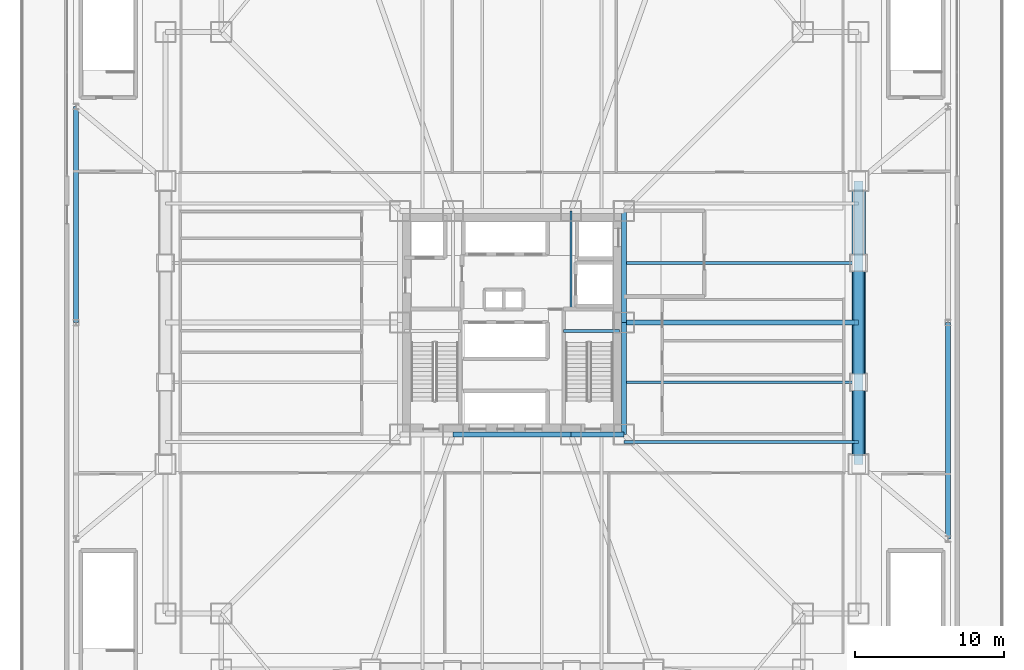
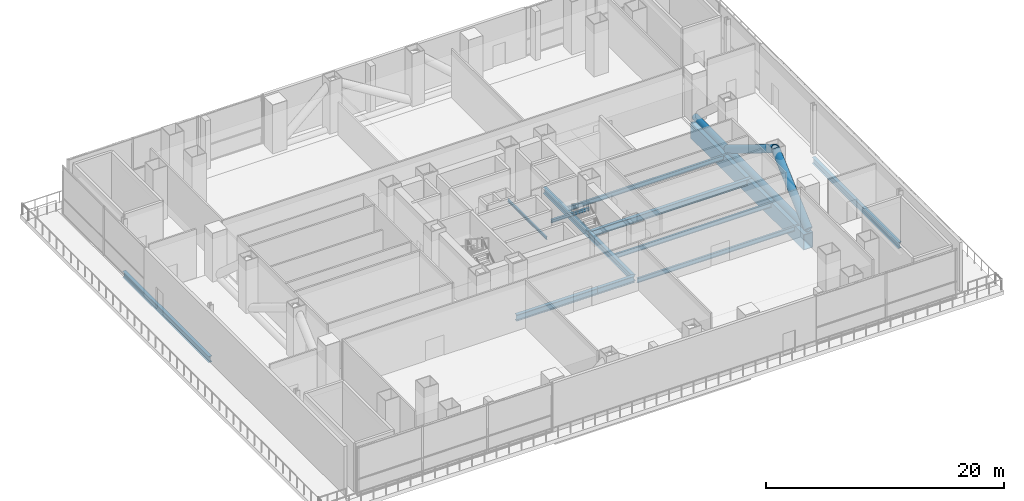
# One storey, part 6 of 21: 13 beams, 3 members.
"""IFC4 building model written with IfcOpenShell, lengths in metres."""

from ifc_helpers import new_model, si_unit, direction, frame, origin, origin_2d, place, context, subcontext, project, spatial, hollow_rectangle, hollow_circle, i_section, extrude, material, material_profile, profile_set, type_object, element, save


model = new_model("IFC4")

# Units and contexts
model_context = context("Model", 3, precision=1e-05, world=origin(), true_north=direction((0.0, 1.0)))
body_context = subcontext(model_context, "Body", "Model", "MODEL_VIEW")
ifc_project = project(units=[si_unit("LENGTHUNIT", "METRE"), si_unit("AREAUNIT", "SQUARE_METRE"), si_unit("VOLUMEUNIT", "CUBIC_METRE"), si_unit("PLANEANGLEUNIT", "RADIAN"), si_unit("MASSUNIT", "GRAM", prefix="KILO")], contexts=[model_context])

# Site, building, storey
site_placement = place(None, origin())
site = spatial("IfcSite", under=ifc_project, at=site_placement, CompositionType="ELEMENT")
building_placement = place(site_placement, origin())
building = spatial("IfcBuilding", under=site, at=building_placement, Name="Trevonay Congress Spire", CompositionType="ELEMENT")
storey_placement = place(building_placement, frame((0.0, 0.0, 21.60009765625)))
storey = spatial("IfcBuildingStorey", under=building, at=storey_placement, Name="L04", CompositionType="ELEMENT", Elevation=21.60009765625)

# Beams
ifc_material = material(Name="Steel ASTM A572 Grade 50", Category="steel")
ifc_material_profile_1 = material_profile(ifc_material, i_section(OverallWidth=0.324951171875, OverallDepth=0.615966796875, WebThickness=0.013916015625, FlangeThickness=0.021484375, FilletRadius=0.01806640625, at=origin_2d()), Name="W610x174")
ifc_profile_set_1 = profile_set([ifc_material_profile_1], Name="Steel ASTM A572 Grade 50")
beam_type_1 = type_object("IfcBeamType", Name="BM-GIRD-W610X174", PredefinedType="BEAM", material=ifc_profile_set_1)
beam_1_placement = place(storey_placement, frame((7.5, 0.0, -0.7080078125), z_axis=(1.0, 0.0, 0.0), x_axis=(0.0, 1.0, 0.0)))
element("IfcBeam", 1, at=beam_1_placement, inside=storey, type_object=beam_type_1, Name="L04 structural beam BM-L04-RAD-EC", PredefinedType="BEAM", context=body_context, shape_type="SweptSolid", body=[
    extrude(i_section(OverallWidth=0.324951171875, OverallDepth=0.615966796875, WebThickness=0.013916015625, FlangeThickness=0.021484375, FilletRadius=0.01806640625, at=origin_2d()), origin(), (0.0, 0.0, 1.0), 15.75),
])
for number, where, z_axis, x_axis, name in (
    (2, (-29.25, 0.0, -0.7080078125), (0.0, 1.0, 0.0), (-1.0, 0.0, 0.0), "L04 structural beam BM-L04-POD-WH"),
    (3, (29.25, -14.5, -0.7080078125), (0.0, 1.0, 0.0), (-1.0, 0.0, 0.0), "L04 structural beam BM-L04-POD-EL"),
):
    element("IfcBeam", number, at=place(storey_placement, frame(where, z_axis=z_axis, x_axis=x_axis)), inside=storey, type_object=beam_type_1, Name=name, PredefinedType="BEAM", context=body_context, shape_type="SweptSolid", body=[
        extrude(i_section(OverallWidth=0.324951171875, OverallDepth=0.615966796875, WebThickness=0.013916015625, FlangeThickness=0.021484375, FilletRadius=0.01806640625, at=origin_2d()), origin(), (0.0, 0.0, 1.0), 14.5),
    ])
ifc_material_profile_2 = material_profile(ifc_material, i_section(OverallWidth=0.3291015625, OverallDepth=0.635009765625, WebThickness=0.017822265625, FlangeThickness=0.031005859375, FilletRadius=0.01806640625, at=origin_2d()), Name="W610x241")
ifc_profile_set_2 = profile_set([ifc_material_profile_2], Name="Steel ASTM A572 Grade 50")
beam_type_2 = type_object("IfcBeamType", Name="BM-GIRD-W610X241", PredefinedType="BEAM", material=ifc_profile_set_2)
beam_2_placement = place(storey_placement, frame((-3.949951171875, -7.5, -0.717529296875), z_axis=(1.0, 0.0, 0.0), x_axis=(0.0, 1.0, 0.0)))
element("IfcBeam", 4, at=beam_2_placement, inside=storey, type_object=beam_type_2, Name="L04 structural beam BM-L04-CR-S2", PredefinedType="BEAM", context=body_context, shape_type="SweptSolid", body=[
    extrude(i_section(OverallWidth=0.3291015625, OverallDepth=0.635009765625, WebThickness=0.017822265625, FlangeThickness=0.031005859375, FilletRadius=0.01806640625, at=origin_2d()), origin(), (0.0, 0.0, 1.0), 7.89990234375),
])
beam_3_placement = place(storey_placement, frame((3.949951171875, -7.5, -0.717529296875), z_axis=(1.0, 0.0, 0.0), x_axis=(0.0, 1.0, 0.0)))
element("IfcBeam", 5, at=beam_3_placement, inside=storey, type_object=beam_type_2, Name="L04 structural beam BM-L04-CR-S3", PredefinedType="BEAM", context=body_context, shape_type="SweptSolid", body=[
    extrude(i_section(OverallWidth=0.3291015625, OverallDepth=0.635009765625, WebThickness=0.017822265625, FlangeThickness=0.031005859375, FilletRadius=0.01806640625, at=origin_2d()), origin(), (0.0, 0.0, 1.0), 3.550048828125),
])
for number, where, z_axis, x_axis, name in (
    (6, (7.5, -7.5, -0.717529296875), (0.0, 1.0, 0.0), (-1.0, 0.0, 0.0), "L04 structural beam BM-L04-CR-E1"),
    (7, (7.5, 0.0, -0.717529296875), (0.0, 1.0, 0.0), (-1.0, 0.0, 0.0), "L04 structural beam BM-L04-CR-E2"),
):
    element("IfcBeam", number, at=place(storey_placement, frame(where, z_axis=z_axis, x_axis=x_axis)), inside=storey, type_object=beam_type_2, Name=name, PredefinedType="BEAM", context=body_context, shape_type="SweptSolid", body=[
        extrude(i_section(OverallWidth=0.3291015625, OverallDepth=0.635009765625, WebThickness=0.017822265625, FlangeThickness=0.031005859375, FilletRadius=0.01806640625, at=origin_2d()), origin(), (0.0, 0.0, 1.0), 7.5),
    ])
ifc_material_profile_3 = material_profile(ifc_material, hollow_rectangle(XDim=0.89990234375, YDim=1.60009765625, WallThickness=0.06005859375, at=origin_2d()), Name="BOX 1600x900x60")
ifc_profile_set_3 = profile_set([ifc_material_profile_3], Name="Steel ASTM A572 Grade 50")
beam_type_3 = type_object("IfcBeamType", Name="BM-XFER-BOX1600", PredefinedType="BEAM", material=ifc_profile_set_3)
beam_4_placement = place(storey_placement, frame((23.25, -9.5, -1.2001953125), z_axis=(0.0, 1.0, 0.0), x_axis=(-1.0, 0.0, 0.0)))
element("IfcBeam", 8, at=beam_4_placement, inside=storey, type_object=beam_type_3, Name="L04 structural beam BM-L04-ME2", PredefinedType="BEAM", context=body_context, shape_type="SweptSolid", body=[
    extrude(hollow_rectangle(XDim=0.89990234375, YDim=1.60009765625, WallThickness=0.06005859375, at=origin_2d()), origin(), (0.0, 0.0, 1.0), 19.0),
])
ifc_material_profile_4 = material_profile(ifc_material, i_section(OverallWidth=0.18994140625, OverallDepth=0.45703125, WebThickness=0.009033203125, FlangeThickness=0.014404296875, FilletRadius=0.013916015625, at=origin_2d()), Name="W460x74")
ifc_profile_set_4 = profile_set([ifc_material_profile_4], Name="Steel ASTM A572 Grade 50")
beam_type_4 = type_object("IfcBeamType", Name="JS-COMP-W460X74", PredefinedType="JOIST", material=ifc_profile_set_4)
for number, where, z_axis, x_axis, name in (
    (9, (7.5, -8.0, -0.628662109375), (1.0, 0.0, 0.0), (0.0, 1.0, 0.0), "L04 structural beam JS-L04-EH1"),
    (10, (7.5, -4.0, -0.628662109375), (1.0, 0.0, 0.0), (0.0, 1.0, 0.0), "L04 structural beam JS-L04-EH2"),
    (11, (7.5, 4.0, -0.628662109375), (1.0, 0.0, 0.0), (0.0, 1.0, 0.0), "L04 structural beam JS-L04-EH3"),
):
    element("IfcBeam", number, at=place(storey_placement, frame(where, z_axis=z_axis, x_axis=x_axis)), inside=storey, type_object=beam_type_4, Name=name, PredefinedType="JOIST", context=body_context, shape_type="SweptSolid", body=[
        extrude(i_section(OverallWidth=0.18994140625, OverallDepth=0.45703125, WebThickness=0.009033203125, FlangeThickness=0.014404296875, FilletRadius=0.013916015625, at=origin_2d()), origin(), (0.0, 0.0, 1.0), 15.75),
    ])
ifc_material_profile_5 = material_profile(ifc_material, i_section(OverallWidth=0.2041015625, OverallDepth=0.305908203125, WebThickness=0.008544921875, FlangeThickness=0.0146484375, FilletRadius=0.010986328125, at=origin_2d()), Name="W310x67")
ifc_profile_set_5 = profile_set([ifc_material_profile_5], Name="Steel ASTM A572 Grade 50")
beam_type_5 = type_object("IfcBeamType", Name="LN-CORE-W310X67", PredefinedType="LINTEL", material=ifc_profile_set_5)
beam_5_placement = place(storey_placement, frame((3.449951171875, -0.550048828125, 2.346923828125), z_axis=(1.0, 0.0, 0.0), x_axis=(0.0, 1.0, 0.0)))
element("IfcBeam", 12, at=beam_5_placement, inside=storey, type_object=beam_type_5, Name="L04 structural beam BM-L04-HL-ST2", PredefinedType="LINTEL", context=body_context, shape_type="SweptSolid", body=[
    extrude(i_section(OverallWidth=0.2041015625, OverallDepth=0.305908203125, WebThickness=0.008544921875, FlangeThickness=0.0146484375, FilletRadius=0.010986328125, at=origin_2d()), origin(), (0.0, 0.0, 1.0), 3.75),
])
ifc_material_profile_6 = material_profile(ifc_material, i_section(OverallWidth=0.14794921875, OverallDepth=0.26611328125, WebThickness=0.007568359375, FlangeThickness=0.012939453125, FilletRadius=0.010009765625, at=origin_2d()), Name="W250x44.8")
ifc_profile_set_6 = profile_set([ifc_material_profile_6], Name="Steel ASTM A572 Grade 50")
beam_type_6 = type_object("IfcBeamType", Name="LN-DOOR-W250X45", PredefinedType="LINTEL", material=ifc_profile_set_6)
beam_6_placement = place(storey_placement, frame((3.949951171875, 1.0, -0.533203125), z_axis=(0.0, 1.0, 0.0), x_axis=(-1.0, 0.0, 0.0)))
element("IfcBeam", 13, at=beam_6_placement, inside=storey, type_object=beam_type_6, Name="L04 structural beam LIN-L04-E", PredefinedType="LINTEL", context=body_context, shape_type="SweptSolid", body=[
    extrude(i_section(OverallWidth=0.14794921875, OverallDepth=0.26611328125, WebThickness=0.007568359375, FlangeThickness=0.012939453125, FilletRadius=0.010009765625, at=origin_2d()), origin(), (0.0, 0.0, 1.0), 6.5),
])

# Members
ifc_material_profile_7 = material_profile(ifc_material, hollow_circle(Radius=0.304931640625, WallThickness=0.031982421875, at=origin_2d()), Name="CHS 610x32")
ifc_profile_set_7 = profile_set([ifc_material_profile_7], Name="Steel ASTM A572 Grade 50")
member_type_1 = type_object("IfcMemberType", Name="MBR-CHORD-CHS610", PredefinedType="CHORD", material=ifc_profile_set_7)
member_1_placement = place(storey_placement, frame((23.25, -9.5, 0.0498046875), z_axis=(0.0, 1.0, 0.0), x_axis=(-1.0, 0.0, 0.0)))
element("IfcMember", 14, at=member_1_placement, inside=storey, type_object=member_type_1, Name="Podium 24m hall transfer truss E bottom chord", PredefinedType="CHORD", context=body_context, shape_type="SweptSolid", body=[
    extrude(hollow_circle(Radius=0.304931640625, WallThickness=0.031982421875, at=origin_2d()), origin(), (0.0, 0.0, 1.0), 19.0),
])
ifc_material_profile_8 = material_profile(ifc_material, hollow_circle(Radius=0.381103515625, WallThickness=0.0400390625, at=origin_2d()), Name="CHS 762x40")
ifc_profile_set_8 = profile_set([ifc_material_profile_8], Name="Steel ASTM A572 Grade 50")
member_type_2 = type_object("IfcMemberType", Name="MBR-OUTRIG-CHS762", PredefinedType="BRACE", material=ifc_profile_set_8)
member_2_placement = place(storey_placement, frame((23.25, -9.5, 0.0498046875), z_axis=(0.0, 0.746649966155, 0.665217128493), x_axis=(-1.0, 0.0, 0.0)))
element("IfcMember", 15, at=member_2_placement, inside=storey, type_object=member_type_2, Name="Podium 24m hall transfer truss E diagonal 1", PredefinedType="BRACE", context=body_context, shape_type="SweptSolid", body=[
    extrude(hollow_circle(Radius=0.381103515625, WallThickness=0.0400390625, at=origin_2d()), origin(), (0.0, 0.0, 1.0), 7.3662109375),
])
member_3_placement = place(storey_placement, frame((23.25, -4.0, 4.949951171875), z_axis=(0.0, 0.85274746011, -0.522323433589), x_axis=(-1.0, 0.0, 0.0)))
element("IfcMember", 16, at=member_3_placement, inside=storey, type_object=member_type_2, Name="Podium 24m hall transfer truss E diagonal 2", PredefinedType="BRACE", context=body_context, shape_type="SweptSolid", body=[
    extrude(hollow_circle(Radius=0.381103515625, WallThickness=0.0400390625, at=origin_2d()), origin(), (0.0, 0.0, 1.0), 9.38134765625),
])

save(model, "model.ifc")
